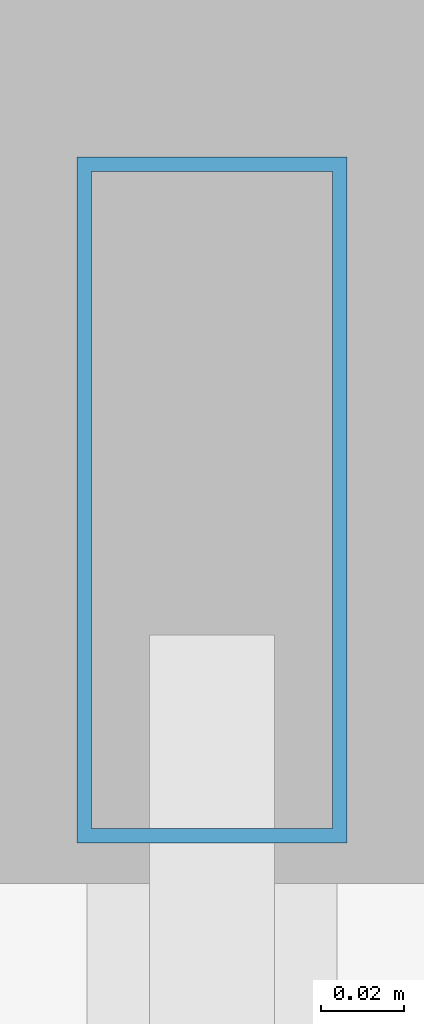
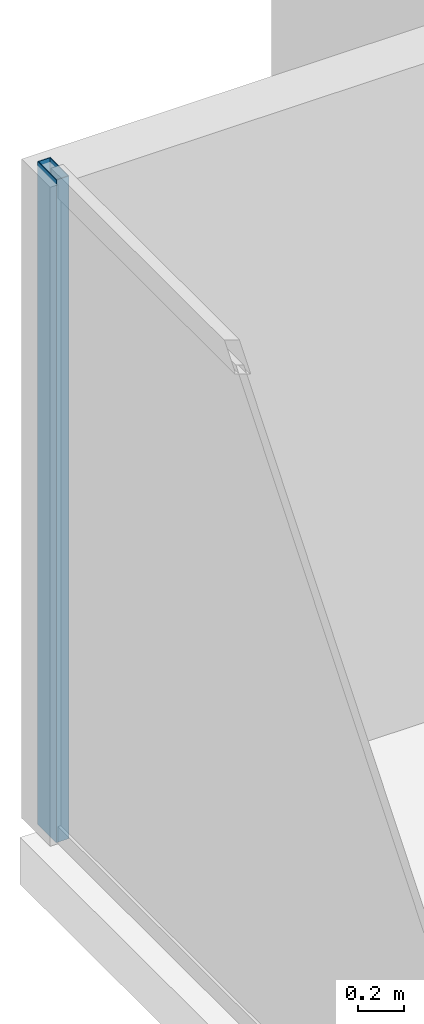
# One storey, part 12 of 24: 1 member, 1 element without a shape of its own.
"""IFC4 building model written with IfcOpenShell, lengths in metres."""

from ifc_helpers import new_model, si_unit, direction, frame, origin, origin_2d, place, context, subcontext, project, spatial, hollow_rectangle, extrude, source, transform, mapped, material, layer, layer_set, material_profile, profile_set, type_object, type_shapes, element, aggregate, save


model = new_model("IFC4")

# Units and contexts
model_context = context("Model", 3, precision=1e-05, world=origin(), true_north=direction((0.0, 1.0)))
body_context = subcontext(model_context, "Body", "Model", "MODEL_VIEW")
ifc_project = project(units=[si_unit("LENGTHUNIT", "METRE"), si_unit("AREAUNIT", "SQUARE_METRE"), si_unit("VOLUMEUNIT", "CUBIC_METRE"), si_unit("PLANEANGLEUNIT", "RADIAN"), si_unit("MASSUNIT", "GRAM", prefix="KILO")], contexts=[model_context])

# Site, building, storey
site_placement = place(None, origin())
site = spatial("IfcSite", under=ifc_project, at=site_placement, CompositionType="ELEMENT")
building_placement = place(site_placement, origin())
building = spatial("IfcBuilding", under=site, at=building_placement, Name="Varnel Quay Broadcast Tower", CompositionType="ELEMENT")
storey_placement = place(building_placement, frame((0.0, 0.0, 292.60009765625)))
storey = spatial("IfcBuildingStorey", under=building, at=storey_placement, Name="L73", CompositionType="ELEMENT", Elevation=292.60009765625)

# Curtain wall, member
ifc_material = material(Name="Anodised Bronze Aluminium 6063-T6", Category="aluminium")
ifc_layer = layer(ifc_material, 0.18994140625, Name="Anodised Bronze Aluminium 6063-T6")
ifc_layer_set = layer_set([ifc_layer], Name="Anodised Bronze Aluminium 6063-T6")
curtain_wall_type = type_object("IfcCurtainWallType", Name="CW_UpperTower", PredefinedType="NOTDEFINED", material=ifc_layer_set)
curtain_wall_placement = place(storey_placement, origin())
curtain_wall = element("IfcCurtainWall", 1, at=curtain_wall_placement, inside=storey, type_object=curtain_wall_type, Name="L73 West Unitised Curtain Wall", PredefinedType="NOTDEFINED")
ifc_material_profile = material_profile(ifc_material, hollow_rectangle(XDim=0.06494140625, YDim=0.1650390625, WallThickness=0.00341796875, at=origin_2d()), Name="ALU65X165X3.5")
ifc_profile_set = profile_set([ifc_material_profile], Name="Anodised Bronze Aluminium 6063-T6")
member_type = type_object("IfcMemberType", Name="Mull_CWS-03", PredefinedType="MULLION", material=ifc_profile_set)
shared_shape = source(origin(), body_context, "Body", "SweptSolid", [
    extrude(hollow_rectangle(XDim=0.06494140625, YDim=0.1650390625, WallThickness=0.00341796875, at=origin_2d()), origin(), (0.0, 0.0, 1.0), 3.5498046875),
])
type_shapes(member_type, [shared_shape])
member_placement = place(storey_placement, frame((12.14990234375, 43.5673828125, 0.0), z_axis=(0.0, 0.0, 1.0), x_axis=(-1.0, 0.0, 0.0)))
member = element("IfcMember", 2, at=member_placement, type_object=member_type, Name="CWS-03 mullion 3", PredefinedType="MULLION", context=body_context, shape_type="MappedRepresentation", body=[
    mapped(shared_shape, transform((0.0, 0.0, 0.0), x_axis=(1.0, 0.0, 0.0), y_axis=(0.0, 1.0, 0.0), z_axis=(0.0, 0.0, 1.0), scale=1.0)),
])
aggregate(curtain_wall, [member])

save(model, "model.ifc")
